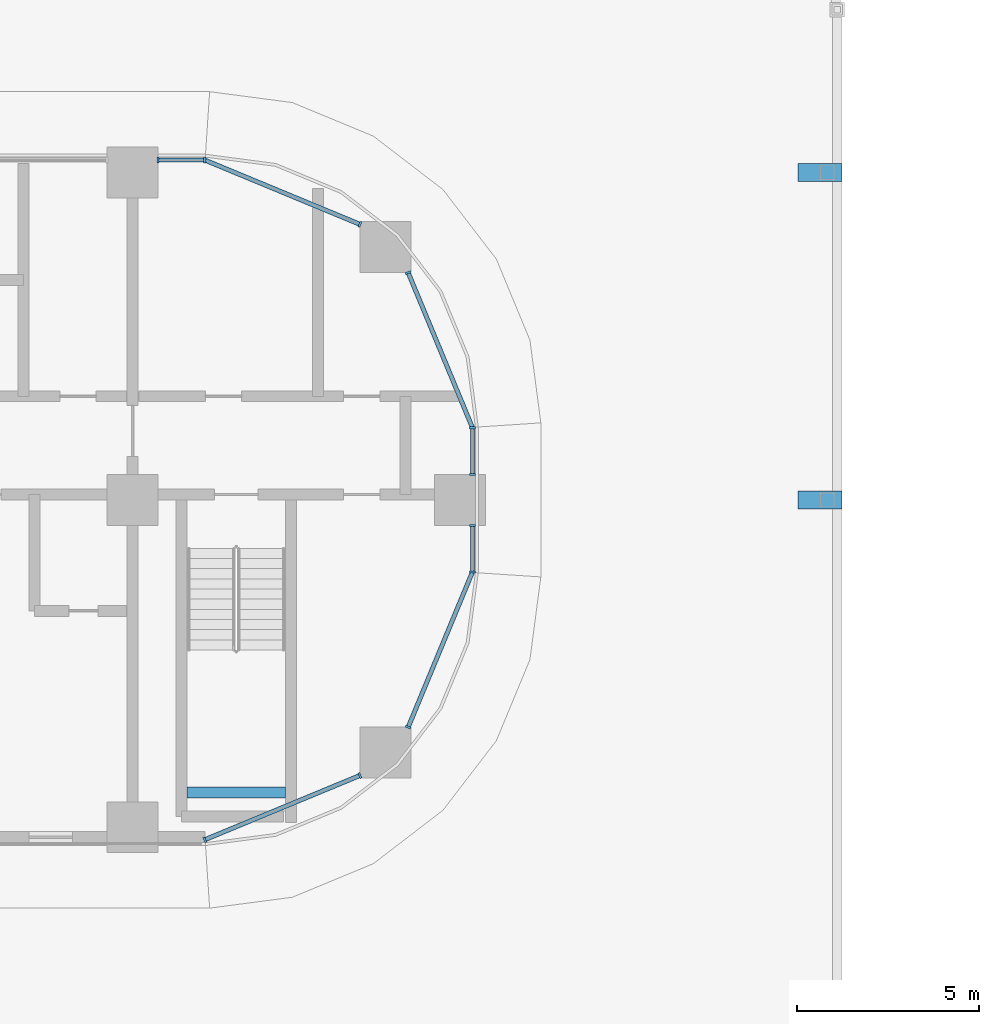
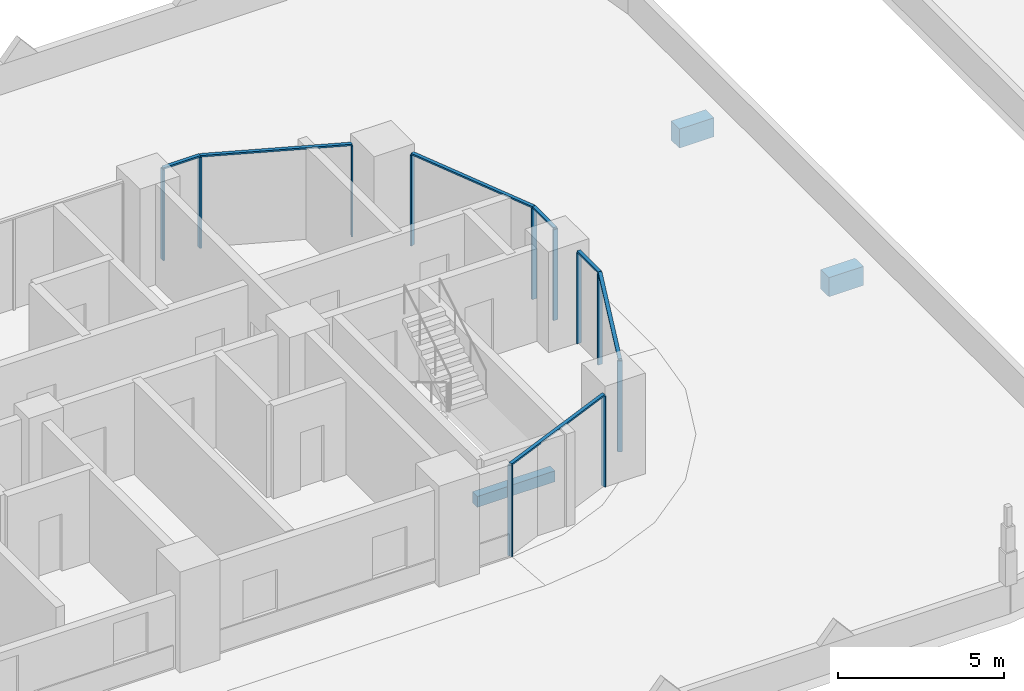
# One storey, part 6 of 51: 18 members, 3 beams, 7 elements without a shape of their own.
"""IFC4 building model written with IfcOpenShell, lengths in metres."""

from ifc_helpers import new_model, si_unit, direction, frame, origin, origin_2d, place, context, subcontext, project, spatial, rectangle, extrude, material, material_profile, profile_set, type_object, element, aggregate, save


model = new_model("IFC4")

# Units and contexts
model_context = context("Model", 3, precision=1e-05, world=origin(), true_north=direction((0.0, 1.0)))
body_context = subcontext(model_context, "Body", "Model", "MODEL_VIEW")
ifc_project = project(units=[si_unit("LENGTHUNIT", "METRE"), si_unit("AREAUNIT", "SQUARE_METRE"), si_unit("VOLUMEUNIT", "CUBIC_METRE"), si_unit("PLANEANGLEUNIT", "RADIAN"), si_unit("MASSUNIT", "GRAM", prefix="KILO")], contexts=[model_context])

# Site, building, storey
site_placement = place(None, origin())
site = spatial("IfcSite", under=ifc_project, at=site_placement, CompositionType="ELEMENT")
building_placement = place(site_placement, origin())
building = spatial("IfcBuilding", under=site, at=building_placement, Name="Ogive Portal Towers", CompositionType="ELEMENT")
storey_placement = place(building_placement, frame((0.0, 0.0, 33.5)))
storey = spatial("IfcBuildingStorey", under=building, at=storey_placement, Name="L06", CompositionType="ELEMENT", Elevation=33.5)

# Beam
ifc_material_1 = material(Name="Concrete C40/50", Category="concrete")
ifc_material_profile_1 = material_profile(ifc_material_1, rectangle(XDim=0.300048828125, YDim=0.39990234375, at=origin_2d()), Name="RC 300x400")
ifc_profile_set_1 = profile_set([ifc_material_profile_1], Name="Concrete C40/50")
beam_type_1 = type_object("IfcBeamType", Name="BEAM RC 300x400", PredefinedType="BEAM", material=ifc_profile_set_1)
beam_placement = place(storey_placement, frame((87.0, 22.449951171875, 1.449951171875), z_axis=(1.0, 0.0, 0.0), x_axis=(0.0, 1.0, 0.0)))
element("IfcBeam", 1, at=beam_placement, inside=storey, type_object=beam_type_1, Name="Landing beam L06", PredefinedType="BEAM", context=body_context, shape_type="SweptSolid", body=[
    extrude(rectangle(XDim=0.300048828125, YDim=0.39990234375, at=origin_2d()), origin(), (0.0, 0.0, 1.0), 2.699951171875),
])

# Curtain wall, members
ifc_material_2 = material(Name="Glass, clear low-iron insulated glazing", Category="glass")
curtain_wall_type = type_object("IfcCurtainWallType", Name="CW FRONT RIBBON 4500", PredefinedType="NOTDEFINED", material=ifc_material_2)
curtain_wall_1_placement = place(storey_placement, origin())
curtain_wall_1 = element("IfcCurtainWall", 2, at=curtain_wall_1_placement, inside=storey, type_object=curtain_wall_type, Name="A:L06:f24:cw0~0", PredefinedType="NOTDEFINED")
ifc_material_3 = material(Name="Aluminium 6063 anodised", Category="aluminium")
ifc_material_profile_2 = material_profile(ifc_material_3, rectangle(XDim=0.159912109375, YDim=0.06005859375, at=origin_2d()), Name="AL 60x160")
ifc_profile_set_2 = profile_set([ifc_material_profile_2], Name="Aluminium 6063 anodised")
member_type_1 = type_object("IfcMemberType", Name="CW MULLION 60x160", PredefinedType="MULLION", material=ifc_profile_set_2)
member_1_placement = place(storey_placement, frame((94.844970703125, 28.515869140625, 0.0), z_axis=(0.0, 0.0, 1.0), x_axis=(-1.0, 0.0, 0.0)))
member_1 = element("IfcMember", 3, at=member_1_placement, type_object=member_type_1, Name="mullion", PredefinedType="MULLION", context=body_context, shape_type="SweptSolid", body=[
    extrude(rectangle(XDim=0.159912109375, YDim=0.06005859375, at=origin_2d()), origin(), (0.0, 0.0, 1.0), 3.340087890625),
])
member_2_placement = place(storey_placement, frame((94.844970703125, 29.800048828125, 0.0), z_axis=(0.0, 0.0, 1.0), x_axis=(-1.0, 0.0, 0.0)))
member_2 = element("IfcMember", 4, at=member_2_placement, type_object=member_type_1, Name="mullion", PredefinedType="MULLION", context=body_context, shape_type="SweptSolid", body=[
    extrude(rectangle(XDim=0.159912109375, YDim=0.06005859375, at=origin_2d()), origin(), (0.0, 0.0, 1.0), 3.340087890625),
])

curtain_wall_2_placement = place(storey_placement, origin())
curtain_wall_2 = element("IfcCurtainWall", 5, at=curtain_wall_2_placement, inside=storey, type_object=curtain_wall_type, Name="A:L06:f24:cw0~1", PredefinedType="NOTDEFINED")
member_3_placement = place(storey_placement, frame((94.844970703125, 31.199951171875, 0.0), z_axis=(0.0, 0.0, 1.0), x_axis=(-1.0, 0.0, 0.0)))
member_3 = element("IfcMember", 6, at=member_3_placement, type_object=member_type_1, Name="mullion", PredefinedType="MULLION", context=body_context, shape_type="SweptSolid", body=[
    extrude(rectangle(XDim=0.159912109375, YDim=0.06005859375, at=origin_2d()), origin(), (0.0, 0.0, 1.0), 3.340087890625),
])
member_4_placement = place(storey_placement, frame((94.844970703125, 32.484130859375, 0.0), z_axis=(0.0, 0.0, 1.0), x_axis=(-1.0, 0.0, 0.0)))
member_4 = element("IfcMember", 7, at=member_4_placement, type_object=member_type_1, Name="mullion", PredefinedType="MULLION", context=body_context, shape_type="SweptSolid", body=[
    extrude(rectangle(XDim=0.159912109375, YDim=0.06005859375, at=origin_2d()), origin(), (0.0, 0.0, 1.0), 3.340087890625),
])

curtain_wall_3_placement = place(storey_placement, origin())
curtain_wall_3 = element("IfcCurtainWall", 8, at=curtain_wall_3_placement, inside=storey, type_object=curtain_wall_type, Name="A:L06:f27:cw0~0", PredefinedType="NOTDEFINED")
member_5_placement = place(storey_placement, frame((87.484130859375, 39.844970703125, 0.0), z_axis=(0.0, 0.0, 1.0), x_axis=(0.0, -1.0, 0.0)))
member_5 = element("IfcMember", 9, at=member_5_placement, type_object=member_type_1, Name="mullion", PredefinedType="MULLION", context=body_context, shape_type="SweptSolid", body=[
    extrude(rectangle(XDim=0.159912109375, YDim=0.06005859375, at=origin_2d()), origin(), (0.0, 0.0, 1.0), 3.340087890625),
])
member_6_placement = place(storey_placement, frame((86.199951171875, 39.844970703125, 0.0), z_axis=(0.0, 0.0, 1.0), x_axis=(0.0, -1.0, 0.0)))
member_6 = element("IfcMember", 10, at=member_6_placement, type_object=member_type_1, Name="mullion", PredefinedType="MULLION", context=body_context, shape_type="SweptSolid", body=[
    extrude(rectangle(XDim=0.159912109375, YDim=0.06005859375, at=origin_2d()), origin(), (0.0, 0.0, 1.0), 3.340087890625),
])

curtain_wall_4_placement = place(storey_placement, origin())
curtain_wall_4 = element("IfcCurtainWall", 11, at=curtain_wall_4_placement, inside=storey, type_object=curtain_wall_type, Name="A:L06:f22:cwa~0", PredefinedType="NOTDEFINED")
member_7_placement = place(storey_placement, frame((87.484130859375, 21.155029296875, 0.0), z_axis=(0.0, 0.0, 1.0), x_axis=(-0.382683432365, 0.923879532511, 0.0)))
member_7 = element("IfcMember", 12, at=member_7_placement, type_object=member_type_1, Name="mullion", PredefinedType="MULLION", context=body_context, shape_type="SweptSolid", body=[
    extrude(rectangle(XDim=0.159912109375, YDim=0.06005859375, at=origin_2d()), origin(), (0.0, 0.0, 1.0), 3.340087890625),
])
member_8_placement = place(storey_placement, frame((91.75, 22.922119140625, 0.0), z_axis=(0.0, 0.0, 1.0), x_axis=(-0.382683432365, 0.923879532511, 0.0)))
member_8 = element("IfcMember", 13, at=member_8_placement, type_object=member_type_1, Name="mullion", PredefinedType="MULLION", context=body_context, shape_type="SweptSolid", body=[
    extrude(rectangle(XDim=0.159912109375, YDim=0.06005859375, at=origin_2d()), origin(), (0.0, 0.0, 1.0), 3.340087890625),
])

# Curtain wall, member
curtain_wall_5_placement = place(storey_placement, origin())
curtain_wall_5 = element("IfcCurtainWall", 14, at=curtain_wall_5_placement, inside=storey, type_object=curtain_wall_type, Name="A:L06:f22:cwa~1", PredefinedType="NOTDEFINED")
member_9_placement = place(storey_placement, frame((93.077880859375, 24.25, 0.0), z_axis=(0.0, 0.0, 1.0), x_axis=(-0.923879532511, 0.382683432365, 0.0)))
member_9 = element("IfcMember", 15, at=member_9_placement, type_object=member_type_1, Name="mullion", PredefinedType="MULLION", context=body_context, shape_type="SweptSolid", body=[
    extrude(rectangle(XDim=0.159912109375, YDim=0.06005859375, at=origin_2d()), origin(), (0.0, 0.0, 1.0), 3.340087890625),
])

curtain_wall_6_placement = place(storey_placement, origin())
curtain_wall_6 = element("IfcCurtainWall", 16, at=curtain_wall_6_placement, inside=storey, type_object=curtain_wall_type, Name="A:L06:f25:cwa~0", PredefinedType="NOTDEFINED")
member_10_placement = place(storey_placement, frame((93.077880859375, 36.75, 0.0), z_axis=(0.0, 0.0, 1.0), x_axis=(-0.923879532511, -0.382683432365, 0.0)))
member_10 = element("IfcMember", 17, at=member_10_placement, type_object=member_type_1, Name="mullion", PredefinedType="MULLION", context=body_context, shape_type="SweptSolid", body=[
    extrude(rectangle(XDim=0.159912109375, YDim=0.06005859375, at=origin_2d()), origin(), (0.0, 0.0, 1.0), 3.340087890625),
])

curtain_wall_7_placement = place(storey_placement, origin())
curtain_wall_7 = element("IfcCurtainWall", 18, at=curtain_wall_7_placement, inside=storey, type_object=curtain_wall_type, Name="A:L06:f25:cwa~1", PredefinedType="NOTDEFINED")
member_11_placement = place(storey_placement, frame((91.75, 38.077880859375, 0.0), z_axis=(0.0, 0.0, 1.0), x_axis=(-0.382683432365, -0.923879532511, 0.0)))
member_11 = element("IfcMember", 19, at=member_11_placement, type_object=member_type_1, Name="mullion", PredefinedType="MULLION", context=body_context, shape_type="SweptSolid", body=[
    extrude(rectangle(XDim=0.159912109375, YDim=0.06005859375, at=origin_2d()), origin(), (0.0, 0.0, 1.0), 3.340087890625),
])

# Member
ifc_material_profile_3 = material_profile(ifc_material_3, rectangle(XDim=0.1201171875, YDim=0.06005859375, at=origin_2d()), Name="AL 120x60")
ifc_profile_set_3 = profile_set([ifc_material_profile_3], Name="Aluminium 6063 anodised")
member_type_2 = type_object("IfcMemberType", Name="CW TRANSOM 60x120", PredefinedType="USERDEFINED", material=ifc_profile_set_3)
member_12_placement = place(storey_placement, frame((94.844970703125, 28.515869140625, 3.3701171875), z_axis=(0.0, 1.0, 0.0), x_axis=(-1.0, 0.0, 0.0)))
member_12 = element("IfcMember", 20, at=member_12_placement, type_object=member_type_2, Name="transom", ObjectType="TRANSOM", PredefinedType="USERDEFINED", context=body_context, shape_type="SweptSolid", body=[
    extrude(rectangle(XDim=0.1201171875, YDim=0.06005859375, at=origin_2d()), origin(), (0.0, 0.0, 1.0), 1.2841796875),
])

aggregate(curtain_wall_1, [member_12, member_1, member_2])

member_13_placement = place(storey_placement, frame((94.844970703125, 31.199951171875, 3.3701171875), z_axis=(0.0, 1.0, 0.0), x_axis=(-1.0, 0.0, 0.0)))
member_13 = element("IfcMember", 21, at=member_13_placement, type_object=member_type_2, Name="transom", ObjectType="TRANSOM", PredefinedType="USERDEFINED", context=body_context, shape_type="SweptSolid", body=[
    extrude(rectangle(XDim=0.1201171875, YDim=0.06005859375, at=origin_2d()), origin(), (0.0, 0.0, 1.0), 1.2841796875),
])

aggregate(curtain_wall_2, [member_13, member_3, member_4])

member_14_placement = place(storey_placement, frame((87.484130859375, 39.844970703125, 3.3701171875), z_axis=(-1.0, 0.0, 0.0), x_axis=(0.0, -1.0, 0.0)))
member_14 = element("IfcMember", 22, at=member_14_placement, type_object=member_type_2, Name="transom", ObjectType="TRANSOM", PredefinedType="USERDEFINED", context=body_context, shape_type="SweptSolid", body=[
    extrude(rectangle(XDim=0.1201171875, YDim=0.06005859375, at=origin_2d()), origin(), (0.0, 0.0, 1.0), 1.2841796875),
])

aggregate(curtain_wall_3, [member_14, member_5, member_6])

member_15_placement = place(storey_placement, frame((87.484130859375, 21.155029296875, 3.3701171875), z_axis=(0.923871186892, 0.38270357985, 0.0), x_axis=(-0.38270357985, 0.923871186892, 0.0)))
member_15 = element("IfcMember", 23, at=member_15_placement, type_object=member_type_2, Name="transom", ObjectType="TRANSOM", PredefinedType="USERDEFINED", context=body_context, shape_type="SweptSolid", body=[
    extrude(rectangle(XDim=0.1201171875, YDim=0.06005859375, at=origin_2d()), origin(), (0.0, 0.0, 1.0), 4.617431640625),
])

aggregate(curtain_wall_4, [member_15, member_7, member_8])

member_16_placement = place(storey_placement, frame((93.077880859375, 24.25, 3.3701171875), z_axis=(0.38270357985, 0.923871186892, 0.0), x_axis=(-0.923871186892, 0.38270357985, 0.0)))
member_16 = element("IfcMember", 24, at=member_16_placement, type_object=member_type_2, Name="transom", ObjectType="TRANSOM", PredefinedType="USERDEFINED", context=body_context, shape_type="SweptSolid", body=[
    extrude(rectangle(XDim=0.1201171875, YDim=0.06005859375, at=origin_2d()), origin(), (0.0, 0.0, 1.0), 4.617431640625),
])

aggregate(curtain_wall_5, [member_16, member_9])

member_17_placement = place(storey_placement, frame((94.844970703125, 32.484130859375, 3.3701171875), z_axis=(-0.38270357985, 0.923871186892, 0.0), x_axis=(-0.923871186892, -0.38270357985, 0.0)))
member_17 = element("IfcMember", 25, at=member_17_placement, type_object=member_type_2, Name="transom", ObjectType="TRANSOM", PredefinedType="USERDEFINED", context=body_context, shape_type="SweptSolid", body=[
    extrude(rectangle(XDim=0.1201171875, YDim=0.06005859375, at=origin_2d()), origin(), (0.0, 0.0, 1.0), 4.617431640625),
])

aggregate(curtain_wall_6, [member_17, member_10])

member_18_placement = place(storey_placement, frame((91.75, 38.077880859375, 3.3701171875), z_axis=(-0.923871186892, 0.38270357985, 0.0), x_axis=(-0.38270357985, -0.923871186892, 0.0)))
member_18 = element("IfcMember", 26, at=member_18_placement, type_object=member_type_2, Name="transom", ObjectType="TRANSOM", PredefinedType="USERDEFINED", context=body_context, shape_type="SweptSolid", body=[
    extrude(rectangle(XDim=0.1201171875, YDim=0.06005859375, at=origin_2d()), origin(), (0.0, 0.0, 1.0), 4.617431640625),
])

aggregate(curtain_wall_7, [member_18, member_11])

# Beams
ifc_material_profile_4 = material_profile(ifc_material_1, rectangle(XDim=0.5, YDim=0.699951171875, at=origin_2d()), Name="RC 500x700")
ifc_profile_set_4 = profile_set([ifc_material_profile_4], Name="Concrete C40/50")
beam_type_2 = type_object("IfcBeamType", Name="SEAT BEAM RC 500x700", PredefinedType="BEAM", material=ifc_profile_set_4)
for number, where, z_axis, x_axis, name in (
    (27, (103.800048828125, 30.5, -1.3701171875), (1.0, 0.0, 0.0), (0.0, 1.0, 0.0), "Bridge seat"),
    (28, (103.800048828125, 39.5, -1.3701171875), (1.0, 0.0, 0.0), (0.0, 1.0, 0.0), "Bridge seat"),
):
    element("IfcBeam", number, at=place(storey_placement, frame(where, z_axis=z_axis, x_axis=x_axis)), inside=storey, type_object=beam_type_2, Name=name, PredefinedType="BEAM", context=body_context, shape_type="SweptSolid", body=[
        extrude(rectangle(XDim=0.5, YDim=0.699951171875, at=origin_2d()), origin(), (0.0, 0.0, 1.0), 1.199951171875),
    ])

save(model, "model.ifc")
